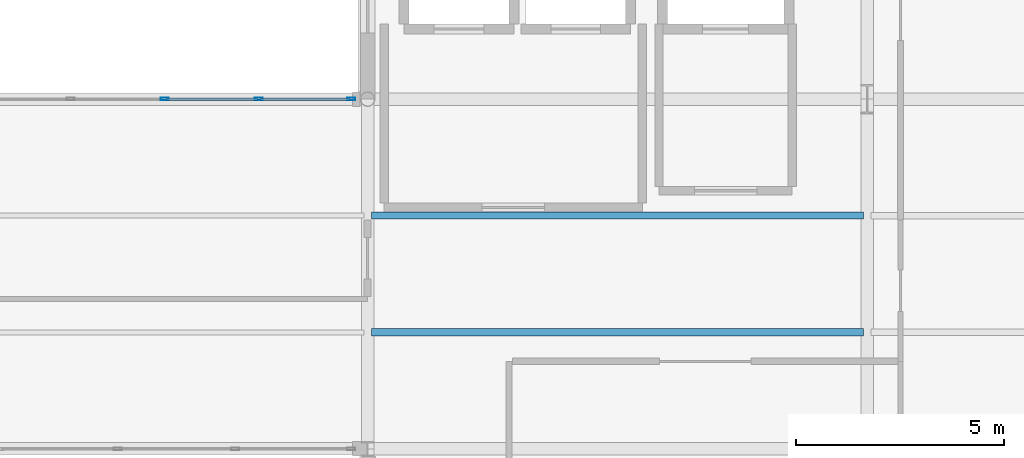
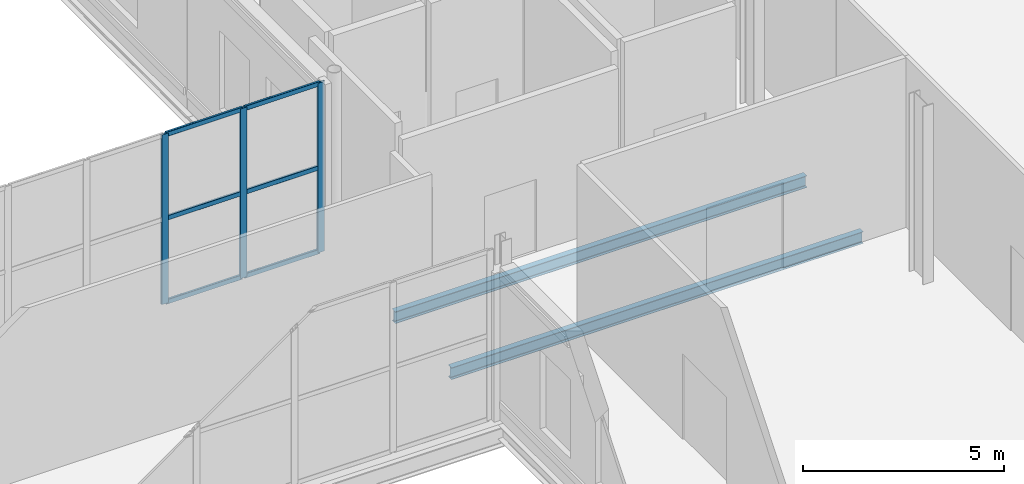
# One storey, part 92 of 147: 9 members, 2 beams, 1 element without a shape of its own.
"""IFC4 building model written with IfcOpenShell, lengths in metres."""

from ifc_helpers import new_model, si_unit, direction, frame, origin, origin_2d, place, context, subcontext, project, spatial, hollow_rectangle, i_section, extrude, material, layer, layer_set, material_profile, profile_set, type_object, element, aggregate, save


model = new_model("IFC4")

# Units and contexts
model_context = context("Model", 3, precision=1e-05, world=origin(), true_north=direction((0.0, 1.0)))
body_context = subcontext(model_context, "Body", "Model", "MODEL_VIEW")
ifc_project = project(units=[si_unit("LENGTHUNIT", "METRE"), si_unit("AREAUNIT", "SQUARE_METRE"), si_unit("VOLUMEUNIT", "CUBIC_METRE"), si_unit("PLANEANGLEUNIT", "RADIAN"), si_unit("MASSUNIT", "GRAM", prefix="KILO")], contexts=[model_context])

# Site, building, storey
site_placement = place(None, origin())
site = spatial("IfcSite", under=ifc_project, at=site_placement, CompositionType="ELEMENT")
building_placement = place(site_placement, origin())
building = spatial("IfcBuilding", under=site, at=building_placement, Name="Vekula Escarpment Museum", CompositionType="ELEMENT")
storey_placement = place(building_placement, frame((0.0, 0.0, 7.800048828125)))
storey = spatial("IfcBuildingStorey", under=building, at=storey_placement, Name="L02", CompositionType="ELEMENT", Elevation=7.800048828125)

# Beams
ifc_material_1 = material(Name="Steel S355", Category="steel")
ifc_material_profile_1 = material_profile(ifc_material_1, i_section(OverallWidth=0.169921875, OverallDepth=0.360107421875, WebThickness=0.008056640625, FlangeThickness=0.0126953125, FilletRadius=0.01806640625, at=origin_2d()), Name="IPE 360")
ifc_profile_set_1 = profile_set([ifc_material_profile_1], Name="Steel S355")
beam_type = type_object("IfcBeamType", Name="BM-JST-IPE360", PredefinedType="JOIST", material=ifc_profile_set_1)
for number, where, z_axis, x_axis, name in (
    (1, (167.090087890625, 70.800048828125, -0.43994140625), (1.0, 0.0, 0.0), (0.0, 1.0, 0.0), "Secondary Joist L02 0855"),
    (2, (167.090087890625, 73.60009765625, -0.43994140625), (1.0, 0.0, 0.0), (0.0, 1.0, 0.0), "Secondary Joist L02 0856"),
):
    element("IfcBeam", number, at=place(storey_placement, frame(where, z_axis=z_axis, x_axis=x_axis)), inside=storey, type_object=beam_type, Name=name, PredefinedType="JOIST", context=body_context, shape_type="SweptSolid", body=[
        extrude(i_section(OverallWidth=0.169921875, OverallDepth=0.360107421875, WebThickness=0.008056640625, FlangeThickness=0.0126953125, FilletRadius=0.01806640625, at=origin_2d()), origin(), (0.0, 0.0, 1.0), 11.81982421875),
    ])

# Curtain wall, members
ifc_material_2 = material(Name="Aluminium thermally broken framing", Category="aluminium")
ifc_layer = layer(ifc_material_2, 0.169921875)
ifc_layer_set = layer_set([ifc_layer], Name="Aluminium thermally broken framing")
curtain_wall_type = type_object("IfcCurtainWallType", Name="CW-SYS-10", PredefinedType="NOTDEFINED", material=ifc_layer_set)
curtain_wall_placement = place(storey_placement, origin())
curtain_wall = element("IfcCurtainWall", 3, at=curtain_wall_placement, inside=storey, type_object=curtain_wall_type, Name="Curtain Wall CW-L02-070", PredefinedType="NOTDEFINED")
ifc_material_3 = material(Name="Aluminium anodized mullion", Category="aluminium")
ifc_material_profile_2 = material_profile(ifc_material_3, hollow_rectangle(XDim=0.06494140625, YDim=0.199951171875, WallThickness=0.00390625, InnerFilletRadius=0.00390625, OuterFilletRadius=0.008056640625, at=origin_2d()), Name="ALU 200x65x4")
ifc_profile_set_2 = profile_set([ifc_material_profile_2], Name="Aluminium anodized mullion")
member_type_1 = type_object("IfcMemberType", Name="CW-MUL-200", PredefinedType="MULLION", material=ifc_profile_set_2)
member_1_placement = place(storey_placement, frame((166.607421875, 76.39990234375, 0.0), z_axis=(0.0, 0.0, 1.0), x_axis=(0.0, -1.0, 0.0)))
member_1 = element("IfcMember", 4, at=member_1_placement, type_object=member_type_1, Name="CW-10 mullion 1", PredefinedType="MULLION", context=body_context, shape_type="SweptSolid", body=[
    extrude(hollow_rectangle(XDim=0.06494140625, YDim=0.199951171875, WallThickness=0.00390625, InnerFilletRadius=0.00390625, OuterFilletRadius=0.008056640625, at=origin_2d()), origin(), (0.0, 0.0, 1.0), 5.14990234375),
])
member_2_placement = place(storey_placement, frame((164.384033203125, 76.39990234375, 0.0), z_axis=(0.0, 0.0, 1.0), x_axis=(0.0, -1.0, 0.0)))
member_2 = element("IfcMember", 5, at=member_2_placement, type_object=member_type_1, Name="CW-10 mullion 2", PredefinedType="MULLION", context=body_context, shape_type="SweptSolid", body=[
    extrude(hollow_rectangle(XDim=0.06494140625, YDim=0.199951171875, WallThickness=0.00390625, InnerFilletRadius=0.00390625, OuterFilletRadius=0.008056640625, at=origin_2d()), origin(), (0.0, 0.0, 1.0), 5.14990234375),
])
member_3_placement = place(storey_placement, frame((162.1279296875, 76.39990234375, 0.0), z_axis=(0.0, 0.0, 1.0), x_axis=(0.0, -1.0, 0.0)))
member_3 = element("IfcMember", 6, at=member_3_placement, type_object=member_type_1, Name="CW-10 mullion 3", PredefinedType="MULLION", context=body_context, shape_type="SweptSolid", body=[
    extrude(hollow_rectangle(XDim=0.06494140625, YDim=0.199951171875, WallThickness=0.00390625, InnerFilletRadius=0.00390625, OuterFilletRadius=0.008056640625, at=origin_2d()), origin(), (0.0, 0.0, 1.0), 5.14990234375),
])
ifc_material_4 = material(Name="Aluminium anodized transom", Category="aluminium")
ifc_material_profile_3 = material_profile(ifc_material_4, hollow_rectangle(XDim=0.06494140625, YDim=0.139892578125, WallThickness=0.00390625, InnerFilletRadius=0.00390625, OuterFilletRadius=0.008056640625, at=origin_2d()), Name="ALU 140x65x4")
ifc_profile_set_3 = profile_set([ifc_material_profile_3], Name="Aluminium anodized transom")
member_type_2 = type_object("IfcMemberType", Name="CW-TRN-140", PredefinedType="USERDEFINED", material=ifc_profile_set_3)
member_4_placement = place(storey_placement, frame((166.574951171875, 76.39990234375, 0.032470703125), z_axis=(-1.0, 0.0, 0.0), x_axis=(0.0, -1.0, 0.0)))
member_4 = element("IfcMember", 7, at=member_4_placement, type_object=member_type_2, Name="CW-10 transom 1.1", ObjectType="TRANSOM", PredefinedType="USERDEFINED", context=body_context, shape_type="SweptSolid", body=[
    extrude(hollow_rectangle(XDim=0.06494140625, YDim=0.139892578125, WallThickness=0.00390625, InnerFilletRadius=0.00390625, OuterFilletRadius=0.008056640625, at=origin_2d()), origin(), (0.0, 0.0, 1.0), 2.158447265625),
])
member_5_placement = place(storey_placement, frame((166.574951171875, 76.39990234375, 2.574951171875), z_axis=(-1.0, 0.0, 0.0), x_axis=(0.0, -1.0, 0.0)))
member_5 = element("IfcMember", 8, at=member_5_placement, type_object=member_type_2, Name="CW-10 transom 1.2", ObjectType="TRANSOM", PredefinedType="USERDEFINED", context=body_context, shape_type="SweptSolid", body=[
    extrude(hollow_rectangle(XDim=0.06494140625, YDim=0.139892578125, WallThickness=0.00390625, InnerFilletRadius=0.00390625, OuterFilletRadius=0.008056640625, at=origin_2d()), origin(), (0.0, 0.0, 1.0), 2.158447265625),
])
member_6_placement = place(storey_placement, frame((166.574951171875, 76.39990234375, 5.117431640625), z_axis=(-1.0, 0.0, 0.0), x_axis=(0.0, -1.0, 0.0)))
member_6 = element("IfcMember", 9, at=member_6_placement, type_object=member_type_2, Name="CW-10 transom 1.3", ObjectType="TRANSOM", PredefinedType="USERDEFINED", context=body_context, shape_type="SweptSolid", body=[
    extrude(hollow_rectangle(XDim=0.06494140625, YDim=0.139892578125, WallThickness=0.00390625, InnerFilletRadius=0.00390625, OuterFilletRadius=0.008056640625, at=origin_2d()), origin(), (0.0, 0.0, 1.0), 2.158447265625),
])
member_7_placement = place(storey_placement, frame((164.3515625, 76.39990234375, 0.032470703125), z_axis=(-1.0, 0.0, 0.0), x_axis=(0.0, -1.0, 0.0)))
member_7 = element("IfcMember", 10, at=member_7_placement, type_object=member_type_2, Name="CW-10 transom 2.1", ObjectType="TRANSOM", PredefinedType="USERDEFINED", context=body_context, shape_type="SweptSolid", body=[
    extrude(hollow_rectangle(XDim=0.06494140625, YDim=0.139892578125, WallThickness=0.00390625, InnerFilletRadius=0.00390625, OuterFilletRadius=0.008056640625, at=origin_2d()), origin(), (0.0, 0.0, 1.0), 2.191162109375),
])
member_8_placement = place(storey_placement, frame((164.3515625, 76.39990234375, 2.574951171875), z_axis=(-1.0, 0.0, 0.0), x_axis=(0.0, -1.0, 0.0)))
member_8 = element("IfcMember", 11, at=member_8_placement, type_object=member_type_2, Name="CW-10 transom 2.2", ObjectType="TRANSOM", PredefinedType="USERDEFINED", context=body_context, shape_type="SweptSolid", body=[
    extrude(hollow_rectangle(XDim=0.06494140625, YDim=0.139892578125, WallThickness=0.00390625, InnerFilletRadius=0.00390625, OuterFilletRadius=0.008056640625, at=origin_2d()), origin(), (0.0, 0.0, 1.0), 2.191162109375),
])
member_9_placement = place(storey_placement, frame((164.3515625, 76.39990234375, 5.117431640625), z_axis=(-1.0, 0.0, 0.0), x_axis=(0.0, -1.0, 0.0)))
member_9 = element("IfcMember", 12, at=member_9_placement, type_object=member_type_2, Name="CW-10 transom 2.3", ObjectType="TRANSOM", PredefinedType="USERDEFINED", context=body_context, shape_type="SweptSolid", body=[
    extrude(hollow_rectangle(XDim=0.06494140625, YDim=0.139892578125, WallThickness=0.00390625, InnerFilletRadius=0.00390625, OuterFilletRadius=0.008056640625, at=origin_2d()), origin(), (0.0, 0.0, 1.0), 2.191162109375),
])
aggregate(curtain_wall, [member_1, member_2, member_3, member_4, member_5, member_6, member_7, member_8, member_9])

save(model, "model.ifc")
